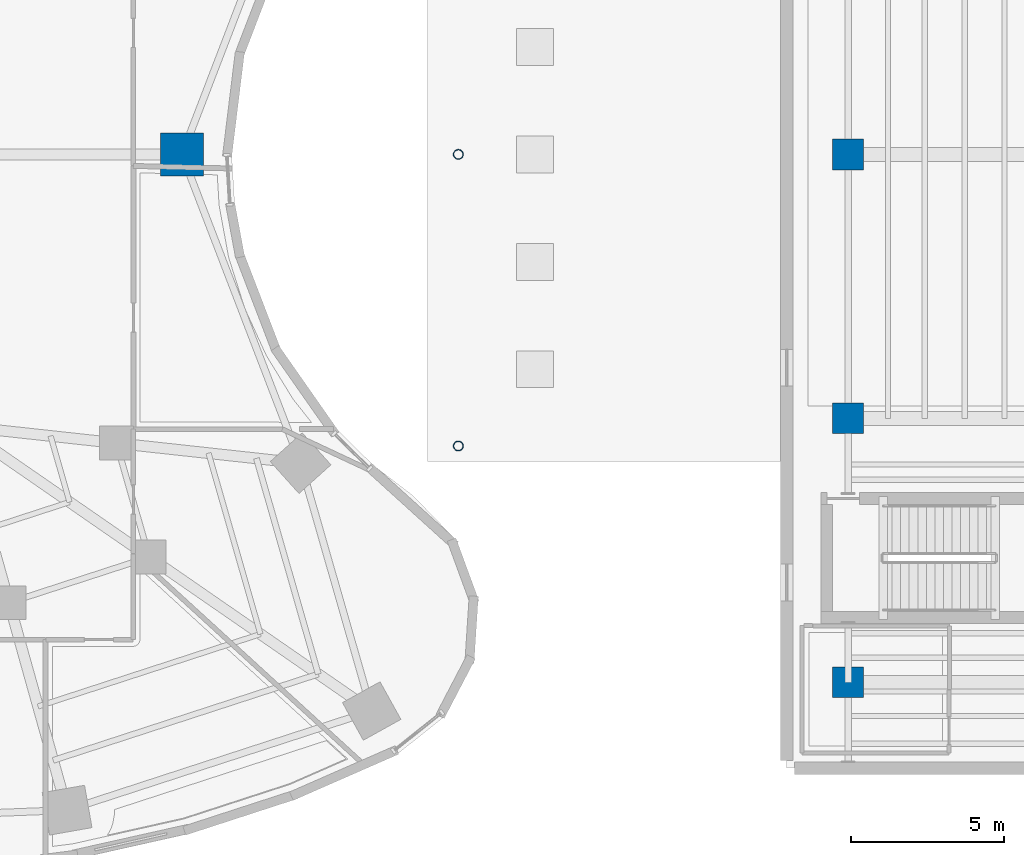
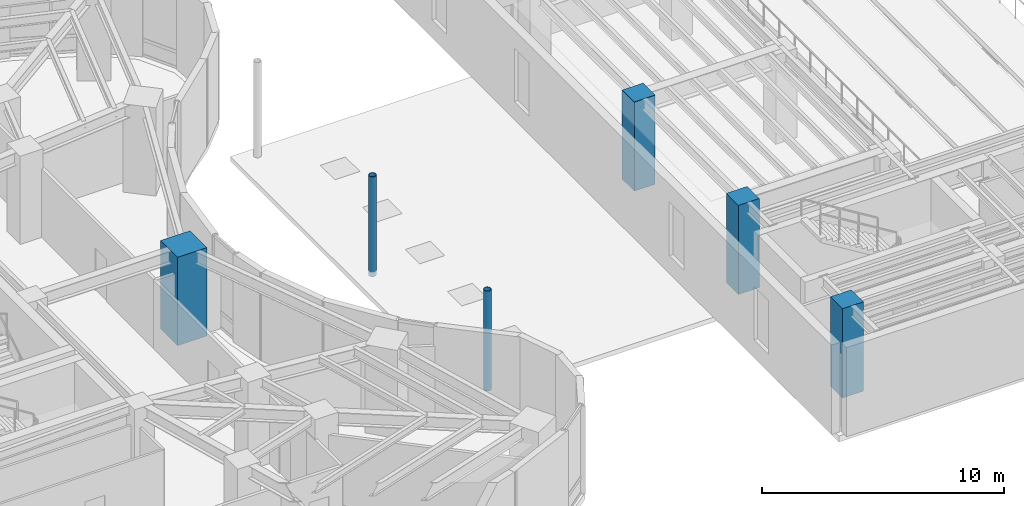
# One storey, part 2 of 24: 6 columns.
"""IFC4 building model written with IfcOpenShell, lengths in metres."""

from ifc_helpers import new_model, si_unit, direction, frame, origin, origin_2d, place, context, subcontext, project, spatial, rectangle, hollow_circle, extrude, material, material_profile, profile_set, type_object, element, save


model = new_model("IFC4")

# Units and contexts
model_context = context("Model", 3, precision=1e-05, world=origin(), true_north=direction((0.0, 1.0)))
body_context = subcontext(model_context, "Body", "Model", "MODEL_VIEW")
ifc_project = project(units=[si_unit("LENGTHUNIT", "METRE"), si_unit("AREAUNIT", "SQUARE_METRE"), si_unit("VOLUMEUNIT", "CUBIC_METRE"), si_unit("PLANEANGLEUNIT", "RADIAN"), si_unit("MASSUNIT", "GRAM", prefix="KILO")], contexts=[model_context])

# Site, building, storey
site_placement = place(None, origin())
site = spatial("IfcSite", under=ifc_project, at=site_placement, CompositionType="ELEMENT")
building_placement = place(site_placement, origin())
building = spatial("IfcBuilding", under=site, at=building_placement, Name="Korentha Bioscience Tower", CompositionType="ELEMENT")
storey_placement = place(building_placement, frame((0.0, 0.0, 10.199951171875)))
storey = spatial("IfcBuildingStorey", under=building, at=storey_placement, Name="L02", CompositionType="ELEMENT", Elevation=10.199951171875)

# Columns
ifc_material_1 = material(Name="Steel S355", Category="steel")
ifc_material_profile_1 = material_profile(ifc_material_1, hollow_circle(Radius=0.161865234375, WallThickness=0.01611328125, at=origin_2d()), Name="Steel S355")
ifc_profile_set_1 = profile_set([ifc_material_profile_1], Name="Steel S355 (AC-01)")
column_type_1 = type_object("IfcColumnType", Name="Arcade Portal Column CHS 323.9x16", PredefinedType="COLUMN", material=ifc_profile_set_1)
for number, where, z_axis, x_axis, name in (
    (1, (53.800048828125, 17.5, -0.239990234375), (0.0, 0.0, 1.0), (1.0, 0.0, 0.0), "L02 Terrace Support Column 1"),
    (2, (53.800048828125, 27.0, -0.239990234375), (0.0, 0.0, 1.0), (1.0, 0.0, 0.0), "L02 Terrace Support Column 2"),
):
    element("IfcColumn", number, at=place(storey_placement, frame(where, z_axis=z_axis, x_axis=x_axis)), inside=storey, type_object=column_type_1, Name=name, PredefinedType="COLUMN", context=body_context, shape_type="SweptSolid", body=[
        extrude(hollow_circle(Radius=0.161865234375, WallThickness=0.01611328125, at=origin_2d()), origin(), (0.0, 0.0, 1.0), 5.0400390625),
    ])
ifc_material_2 = material(Name="Concrete C80", Category="concrete")
ifc_material_profile_2 = material_profile(ifc_material_2, rectangle(XDim=1.39990234375, YDim=1.39990234375, at=origin_2d()), Name="Concrete C80")
ifc_profile_set_2 = profile_set([ifc_material_profile_2], Name="Concrete C80 (COL-P14)")
column_type_2 = type_object("IfcColumnType", Name="Perimeter Column RC 1400x1400", PredefinedType="COLUMN", material=ifc_profile_set_2)
column_placement = place(storey_placement, frame((44.798583984375, 27.0, -0.00048828125), z_axis=(0.0, 0.0, 1.0), x_axis=(0.0, 1.0, 0.0)))
element("IfcColumn", 3, at=column_placement, inside=storey, type_object=column_type_2, Name="L02 Perimeter Column 15", PredefinedType="COLUMN", context=body_context, shape_type="SweptSolid", body=[
    extrude(rectangle(XDim=1.39990234375, YDim=1.39990234375, at=origin_2d()), origin(), (0.0, 0.0, 1.0), 4.450927734375),
])
ifc_material_3 = material(Name="Concrete C50", Category="concrete")
ifc_material_profile_3 = material_profile(ifc_material_3, rectangle(XDim=1.0, YDim=1.0, at=origin_2d()), Name="Concrete C50")
ifc_profile_set_3 = profile_set([ifc_material_profile_3], Name="Concrete C50 (TC-01)")
column_type_3 = type_object("IfcColumnType", Name="Theatre Primary Column RC 1000x1000", PredefinedType="COLUMN", material=ifc_profile_set_3)
for number, where, z_axis, x_axis, name in (
    (4, (66.5, 9.800048828125, 0.0), (0.0, 0.0, 1.0), (1.0, 0.0, 0.0), "L02 Theatre Column 1-1"),
    (5, (66.5, 18.39990234375, 0.0), (0.0, 0.0, 1.0), (1.0, 0.0, 0.0), "L02 Theatre Column 1-2"),
    (6, (66.5, 27.0, 0.0), (0.0, 0.0, 1.0), (1.0, 0.0, 0.0), "L02 Theatre Column 1-3"),
):
    element("IfcColumn", number, at=place(storey_placement, frame(where, z_axis=z_axis, x_axis=x_axis)), inside=storey, type_object=column_type_3, Name=name, PredefinedType="COLUMN", context=body_context, shape_type="SweptSolid", body=[
        extrude(rectangle(XDim=1.0, YDim=1.0, at=origin_2d()), origin(), (0.0, 0.0, 1.0), 4.5),
    ])

save(model, "model.ifc")
